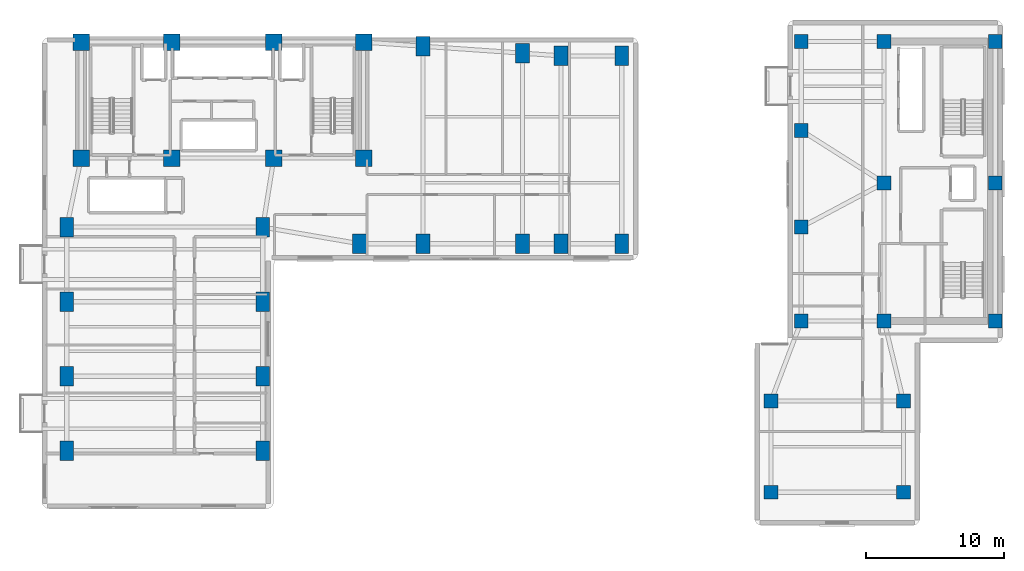
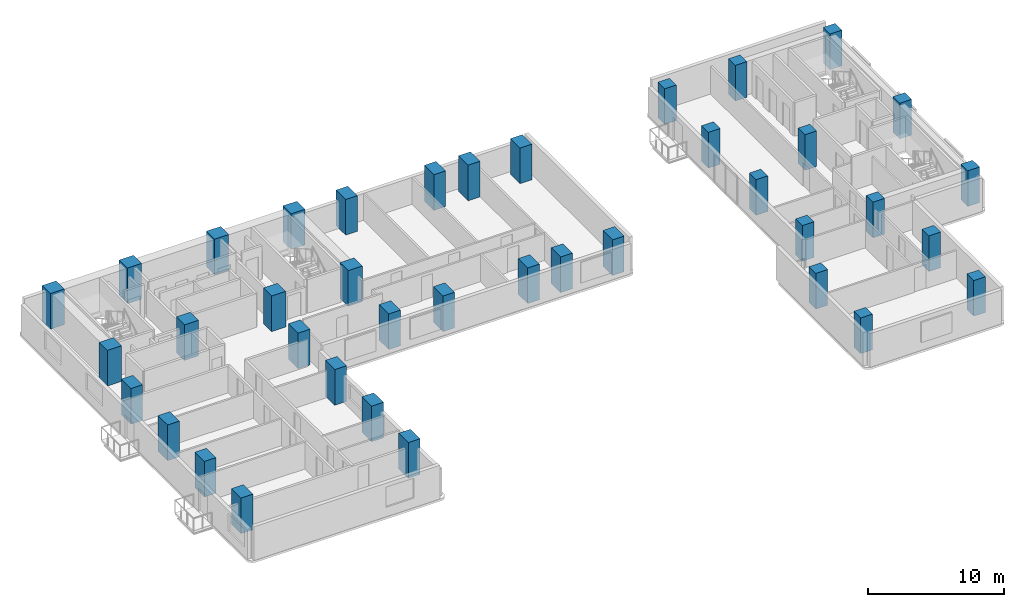
# One storey, part 1 of 17: 39 columns.
"""IFC4 building model written with IfcOpenShell, lengths in metres."""

from ifc_helpers import new_model, si_unit, direction, frame, origin, origin_2d, place, context, subcontext, project, spatial, rectangle, extrude, material, material_profile, profile_set, type_object, element, save


model = new_model("IFC4")

# Units and contexts
model_context = context("Model", 3, precision=1e-05, world=origin(), true_north=direction((0.0, 1.0)))
body_context = subcontext(model_context, "Body", "Model", "MODEL_VIEW")
ifc_project = project(units=[si_unit("LENGTHUNIT", "METRE"), si_unit("AREAUNIT", "SQUARE_METRE"), si_unit("VOLUMEUNIT", "CUBIC_METRE"), si_unit("PLANEANGLEUNIT", "RADIAN"), si_unit("MASSUNIT", "GRAM", prefix="KILO")], contexts=[model_context])

# Site, building, storey
site_placement = place(None, origin())
site = spatial("IfcSite", under=ifc_project, at=site_placement, CompositionType="ELEMENT")
building_placement = place(site_placement, origin())
building = spatial("IfcBuilding", under=site, at=building_placement, Name="Kuzgunbayir Cultural Tower", CompositionType="ELEMENT")
storey_placement = place(building_placement, frame((0.0, 0.0, 43.60009765625)))
storey = spatial("IfcBuildingStorey", under=building, at=storey_placement, Name="L11", CompositionType="ELEMENT", Elevation=43.60009765625)

# Columns
ifc_material = material(Name="Concrete C60/75", Category="concrete")
ifc_material_profile_1 = material_profile(ifc_material, rectangle(XDim=1.199951171875, YDim=1.199951171875, at=origin_2d()), Name="RC 1200x1200")
ifc_profile_set_1 = profile_set([ifc_material_profile_1], Name="Concrete C60/75")
column_type_1 = type_object("IfcColumnType", Name="COL-CORE-1200", PredefinedType="COLUMN", material=ifc_profile_set_1)
for number, where, z_axis, x_axis, name in (
    (1, (6.449951171875, 33.800048828125, 0.0), (0.0, 0.0, 1.0), (1.0, 0.0, 0.0), "L11 T1 Core Boundary Column CC1-1"),
    (2, (13.0, 33.800048828125, 0.0), (0.0, 0.0, 1.0), (1.0, 0.0, 0.0), "L11 T1 Core Boundary Column CC1-2"),
    (3, (20.39990234375, 33.800048828125, 0.0), (0.0, 0.0, 1.0), (1.0, 0.0, 0.0), "L11 T1 Core Boundary Column CC1-3"),
    (4, (26.89990234375, 33.800048828125, 0.0), (0.0, 0.0, 1.0), (1.0, 0.0, 0.0), "L11 T1 Core Boundary Column CC1-4"),
    (5, (6.449951171875, 42.199951171875, 0.0), (0.0, 0.0, 1.0), (1.0, 0.0, 0.0), "L11 T1 Core Boundary Column CC1-5"),
    (6, (13.0, 42.199951171875, 0.0), (0.0, 0.0, 1.0), (1.0, 0.0, 0.0), "L11 T1 Core Boundary Column CC1-6"),
    (7, (20.39990234375, 42.199951171875, 0.0), (0.0, 0.0, 1.0), (1.0, 0.0, 0.0), "L11 T1 Core Boundary Column CC1-7"),
    (8, (26.89990234375, 42.199951171875, 0.0), (0.0, 0.0, 1.0), (1.0, 0.0, 0.0), "L11 T1 Core Boundary Column CC1-8"),
):
    element("IfcColumn", number, at=place(storey_placement, frame(where, z_axis=z_axis, x_axis=x_axis)), inside=storey, type_object=column_type_1, Name=name, PredefinedType="COLUMN", context=body_context, shape_type="SweptSolid", body=[
        extrude(rectangle(XDim=1.199951171875, YDim=1.199951171875, at=origin_2d()), origin(), (0.0, 0.0, 1.0), 3.199951171875),
    ])
ifc_material_profile_2 = material_profile(ifc_material, rectangle(XDim=1.0, YDim=1.39990234375, at=origin_2d()), Name="RC 1400x1000")
ifc_profile_set_2 = profile_set([ifc_material_profile_2], Name="Concrete C60/75")
column_type_2 = type_object("IfcColumnType", Name="COL-T1-1400x1000", PredefinedType="COLUMN", material=ifc_profile_set_2)
for number, where, z_axis, x_axis, name in (
    (9, (5.39990234375, 12.60009765625, 0.0), (0.0, 0.0, 1.0), (1.0, 0.0, 0.0), "L11 Tower 1 Wing A Column T1A-W-1"),
    (10, (19.60009765625, 12.60009765625, 0.0), (0.0, 0.0, 1.0), (1.0, 0.0, 0.0), "L11 Tower 1 Wing A Column T1A-E-1"),
    (11, (5.39990234375, 18.0, 0.0), (0.0, 0.0, 1.0), (1.0, 0.0, 0.0), "L11 Tower 1 Wing A Column T1A-W-2"),
    (12, (19.60009765625, 18.0, 0.0), (0.0, 0.0, 1.0), (1.0, 0.0, 0.0), "L11 Tower 1 Wing A Column T1A-E-2"),
    (13, (5.39990234375, 23.39990234375, 0.0), (0.0, 0.0, 1.0), (1.0, 0.0, 0.0), "L11 Tower 1 Wing A Column T1A-W-3"),
    (14, (19.60009765625, 23.39990234375, 0.0), (0.0, 0.0, 1.0), (1.0, 0.0, 0.0), "L11 Tower 1 Wing A Column T1A-E-3"),
    (15, (5.39990234375, 28.800048828125, 0.0), (0.0, 0.0, 1.0), (1.0, 0.0, 0.0), "L11 Tower 1 Wing A Column T1A-W-4"),
    (16, (19.60009765625, 28.800048828125, 0.0), (0.0, 0.0, 1.0), (1.0, 0.0, 0.0), "L11 Tower 1 Wing A Column T1A-E-4"),
    (17, (26.60009765625, 27.60009765625, 0.0), (0.0, 0.0, 1.0), (1.0, 0.0, 0.0), "L11 Tower 1 Wing B Column T1B-1-1"),
    (18, (31.199951171875, 27.60009765625, 0.0), (0.0, 0.0, 1.0), (1.0, 0.0, 0.0), "L11 Tower 1 Wing B Column T1B-2-1"),
    (19, (31.199951171875, 41.89990234375, 0.0), (0.0, 0.0, 1.0), (1.0, 0.0, 0.0), "L11 Tower 1 Wing B Column T1B-2-2"),
    (20, (38.39990234375, 27.60009765625, 0.0), (0.0, 0.0, 1.0), (1.0, 0.0, 0.0), "L11 Tower 1 Wing B Column T1B-3-1"),
    (21, (38.39990234375, 41.39990234375, 0.0), (0.0, 0.0, 1.0), (1.0, 0.0, 0.0), "L11 Tower 1 Wing B Column T1B-3-2"),
    (22, (41.199951171875, 27.60009765625, 0.0), (0.0, 0.0, 1.0), (1.0, 0.0, 0.0), "L11 Tower 1 Wing B Column T1B-4-1"),
    (23, (41.199951171875, 41.199951171875, 0.0), (0.0, 0.0, 1.0), (1.0, 0.0, 0.0), "L11 Tower 1 Wing B Column T1B-4-2"),
    (24, (45.60009765625, 27.60009765625, 0.0), (0.0, 0.0, 1.0), (1.0, 0.0, 0.0), "L11 Tower 1 Wing B Column T1B-5-1"),
    (25, (45.60009765625, 41.199951171875, 0.0), (0.0, 0.0, 1.0), (1.0, 0.0, 0.0), "L11 Tower 1 Wing B Column T1B-5-2"),
):
    element("IfcColumn", number, at=place(storey_placement, frame(where, z_axis=z_axis, x_axis=x_axis)), inside=storey, type_object=column_type_2, Name=name, PredefinedType="COLUMN", context=body_context, shape_type="SweptSolid", body=[
        extrude(rectangle(XDim=1.0, YDim=1.39990234375, at=origin_2d()), origin(), (0.0, 0.0, 1.0), 3.199951171875),
    ])
ifc_material_profile_3 = material_profile(ifc_material, rectangle(XDim=1.0, YDim=1.0, at=origin_2d()), Name="RC 1000x1000")
ifc_profile_set_3 = profile_set([ifc_material_profile_3], Name="Concrete C60/75")
column_type_3 = type_object("IfcColumnType", Name="COL-T2-1000", PredefinedType="COLUMN", material=ifc_profile_set_3)
for number, where, z_axis, x_axis, name in (
    (26, (64.60009765625, 22.0, 0.0), (0.0, 0.0, 1.0), (1.0, 0.0, 0.0), "L11 T2 Core Boundary Column CC2-1"),
    (27, (72.64990234375, 22.0, 0.0), (0.0, 0.0, 1.0), (1.0, 0.0, 0.0), "L11 T2 Core Boundary Column CC2-2"),
    (28, (64.60009765625, 32.0, 0.0), (0.0, 0.0, 1.0), (1.0, 0.0, 0.0), "L11 T2 Core Boundary Column CC2-3"),
    (29, (72.64990234375, 32.0, 0.0), (0.0, 0.0, 1.0), (1.0, 0.0, 0.0), "L11 T2 Core Boundary Column CC2-4"),
    (30, (64.60009765625, 42.25, 0.0), (0.0, 0.0, 1.0), (1.0, 0.0, 0.0), "L11 T2 Core Boundary Column CC2-5"),
    (31, (72.64990234375, 42.25, 0.0), (0.0, 0.0, 1.0), (1.0, 0.0, 0.0), "L11 T2 Core Boundary Column CC2-6"),
):
    element("IfcColumn", number, at=place(storey_placement, frame(where, z_axis=z_axis, x_axis=x_axis)), inside=storey, type_object=column_type_3, Name=name, PredefinedType="COLUMN", context=body_context, shape_type="SweptSolid", body=[
        extrude(rectangle(XDim=1.0, YDim=1.0, at=origin_2d()), origin(), (0.0, 0.0, 1.0), 3.199951171875),
    ])
ifc_material_profile_4 = material_profile(ifc_material, rectangle(XDim=1.0, YDim=1.0, at=origin_2d()), Name="RC 1000x1000")
ifc_profile_set_4 = profile_set([ifc_material_profile_4], Name="Concrete C60/75")
column_type_4 = type_object("IfcColumnType", Name="COL-T2-1000-EXT", PredefinedType="COLUMN", material=ifc_profile_set_4)
for number, where, z_axis, x_axis, name in (
    (32, (58.60009765625, 22.0, 0.0), (0.0, 0.0, 1.0), (1.0, 0.0, 0.0), "L11 Companion Wing A Column T2A-W-1"),
    (33, (58.60009765625, 28.800048828125, 0.0), (0.0, 0.0, 1.0), (1.0, 0.0, 0.0), "L11 Companion Wing A Column T2A-W-2"),
    (34, (58.60009765625, 35.800048828125, 0.0), (0.0, 0.0, 1.0), (1.0, 0.0, 0.0), "L11 Companion Wing A Column T2A-W-3"),
    (35, (58.60009765625, 42.25, 0.0), (0.0, 0.0, 1.0), (1.0, 0.0, 0.0), "L11 Companion Wing A Column T2A-W-4"),
    (36, (56.39990234375, 9.60009765625, 0.0), (0.0, 0.0, 1.0), (1.0, 0.0, 0.0), "L11 Companion Wing B Column T2B-1-1"),
    (37, (56.39990234375, 16.199951171875, 0.0), (0.0, 0.0, 1.0), (1.0, 0.0, 0.0), "L11 Companion Wing B Column T2B-1-2"),
    (38, (66.0, 9.60009765625, 0.0), (0.0, 0.0, 1.0), (1.0, 0.0, 0.0), "L11 Companion Wing B Column T2B-2-1"),
    (39, (66.0, 16.199951171875, 0.0), (0.0, 0.0, 1.0), (1.0, 0.0, 0.0), "L11 Companion Wing B Column T2B-2-2"),
):
    element("IfcColumn", number, at=place(storey_placement, frame(where, z_axis=z_axis, x_axis=x_axis)), inside=storey, type_object=column_type_4, Name=name, PredefinedType="COLUMN", context=body_context, shape_type="SweptSolid", body=[
        extrude(rectangle(XDim=1.0, YDim=1.0, at=origin_2d()), origin(), (0.0, 0.0, 1.0), 3.199951171875),
    ])

save(model, "model.ifc")
